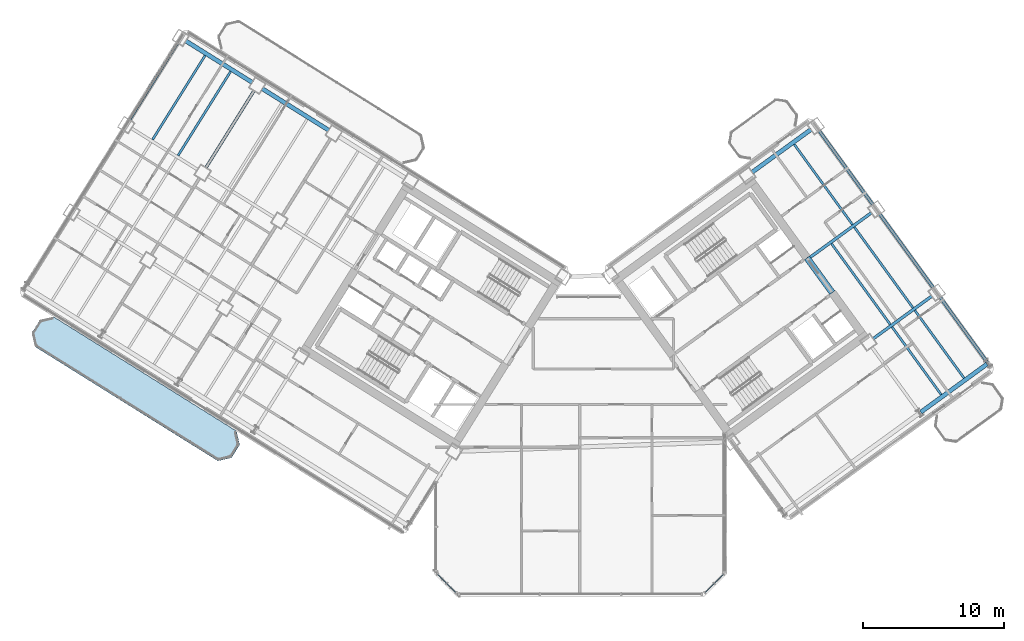
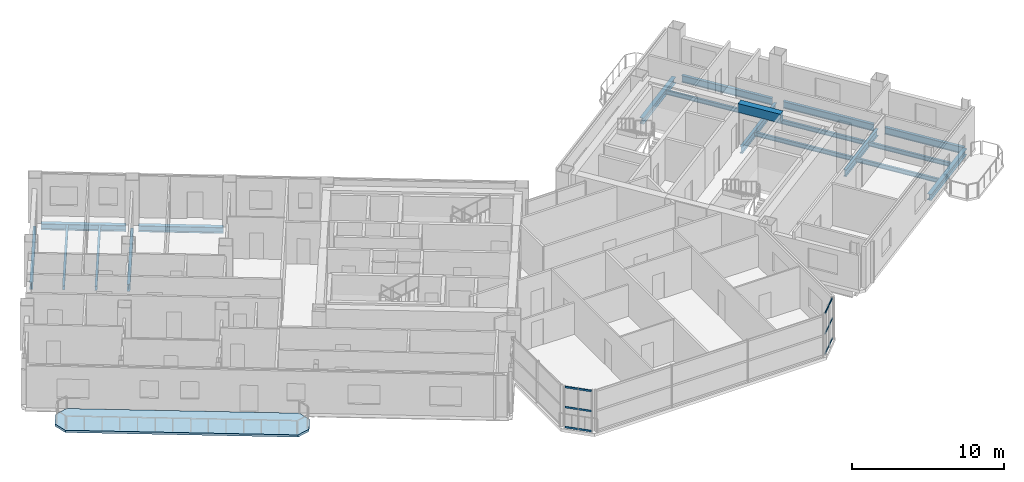
# One storey, part 13 of 29: 19 beams, 12 members, 1 slab, 2 elements without a shape of their own.
"""IFC4 building model written with IfcOpenShell, lengths in metres."""

from ifc_helpers import new_model, si_unit, direction, frame, origin, origin_2d, place, context, subcontext, project, spatial, polyline, rectangle, hollow_rectangle, i_section, outline, extrude, source, transform, mapped, material, layer, layer_set, material_profile, profile_set, type_object, element, aggregate, save


model = new_model("IFC4")

# Units and contexts
model_context = context("Model", 3, precision=1e-05, world=origin(), true_north=direction((0.0, 1.0)))
body_context = subcontext(model_context, "Body", "Model", "MODEL_VIEW")
ifc_project = project(units=[si_unit("LENGTHUNIT", "METRE"), si_unit("AREAUNIT", "SQUARE_METRE"), si_unit("VOLUMEUNIT", "CUBIC_METRE"), si_unit("PLANEANGLEUNIT", "RADIAN"), si_unit("MASSUNIT", "GRAM", prefix="KILO")], contexts=[model_context])

# Site, building, storey
site_placement = place(None, origin())
site = spatial("IfcSite", under=ifc_project, at=site_placement, CompositionType="ELEMENT")
building_placement = place(site_placement, origin())
building = spatial("IfcBuilding", under=site, at=building_placement, Name="Tlacorven Tower", CompositionType="ELEMENT")
storey_placement = place(building_placement, frame((0.0, 0.0, 158.699951171875)))
storey = spatial("IfcBuildingStorey", under=building, at=storey_placement, Name="L40", CompositionType="ELEMENT", Elevation=158.699951171875)

# Beams
ifc_material_1 = material(Name="Concrete C60/75", Category="concrete")
ifc_material_profile_1 = material_profile(ifc_material_1, rectangle(XDim=0.449951171875, YDim=0.699951171875, at=origin_2d()), Name="RC 450X700")
ifc_profile_set_1 = profile_set([ifc_material_profile_1], Name="Concrete C60/75")
beam_type_1 = type_object("IfcBeamType", Name="BM-LNT-700", PredefinedType="LINTEL", material=ifc_profile_set_1)
shared_shape_1 = source(origin(), body_context, "Body", "SweptSolid", [
    extrude(rectangle(XDim=0.449951171875, YDim=0.699951171875, at=origin_2d()), origin(), (0.0, 0.0, 1.0), 3.050048828125),
])
beam_1_placement = place(storey_placement, frame((59.856689453125, 23.345947265625, 3.0), z_axis=(-0.587776590479, 0.80902328748, 0.0), x_axis=(-0.80902328748, -0.587776590479, 0.0)))
element("IfcBeam", 1, at=beam_1_placement, inside=storey, type_object=beam_type_1, Name="L40 E core coupling lintel beam E2", PredefinedType="LINTEL", context=body_context, shape_type="MappedRepresentation", body=[
    mapped(shared_shape_1, transform((0.0, 0.0, 0.0), scale=1.0)),
])
ifc_material_2 = material(Name="Steel S355J2", Category="steel")
ifc_material_profile_2 = material_profile(ifc_material_2, i_section(OverallWidth=0.300048828125, OverallDepth=0.489990234375, WebThickness=0.011962890625, FlangeThickness=0.02294921875, at=origin_2d()), Name="HEA 500")
ifc_profile_set_2 = profile_set([ifc_material_profile_2], Name="Steel S355J2")
beam_type_2 = type_object("IfcBeamType", Name="BM-SPN-500", PredefinedType="SPANDREL", material=ifc_profile_set_2)
shared_shape_2 = source(origin(), body_context, "Body", "SweptSolid", [
    extrude(i_section(OverallWidth=0.300048828125, OverallDepth=0.489990234375, WebThickness=0.011962890625, FlangeThickness=0.02294921875, at=origin_2d()), origin(), (0.0, 0.0, 1.0), 5.800048828125),
])
beam_2_placement = place(storey_placement, frame((66.138671875, 14.86962890625, -0.494873046875), z_axis=(0.809019944521, 0.587781191743, 0.0), x_axis=(-0.587781191743, 0.809019944521, 0.0)))
element("IfcBeam", 2, at=beam_2_placement, inside=storey, type_object=beam_type_2, Name="L40 beam BM-L40-EL1-3", PredefinedType="SPANDREL", context=body_context, shape_type="MappedRepresentation", body=[
    mapped(shared_shape_2, transform((0.0, 0.0, 0.0), scale=1.0)),
])
shared_shape_3 = source(origin(), body_context, "Body", "SweptSolid", [
    extrude(i_section(OverallWidth=0.300048828125, OverallDepth=0.489990234375, WebThickness=0.011962890625, FlangeThickness=0.02294921875, at=origin_2d()), origin(), (0.0, 0.0, 1.0), 5.599853515625),
])
for number, where, z_axis, x_axis, name in (
    (3, (24.1611328125, 34.854736328125, -0.494873046875), (-0.848047285686, 0.529920561254, 0.0), (-0.529920561254, -0.848047285686, 0.0), "L40 beam BM-L40-WL1-4"),
    (4, (18.733642578125, 38.246337890625, -0.494873046875), (-0.848047285686, 0.529920561254, 0.0), (-0.529920561254, -0.848047285686, 0.0), "L40 beam BM-L40-WL1-5"),
):
    element("IfcBeam", number, at=place(storey_placement, frame(where, z_axis=z_axis, x_axis=x_axis)), inside=storey, type_object=beam_type_2, Name=name, PredefinedType="SPANDREL", context=body_context, shape_type="MappedRepresentation", body=[
        mapped(shared_shape_3, transform((0.0, 0.0, 0.0), scale=1.0)),
    ])
ifc_material_profile_3 = material_profile(ifc_material_2, i_section(OverallWidth=0.2099609375, OverallDepth=0.550048828125, WebThickness=0.010986328125, FlangeThickness=0.01708984375, at=origin_2d()), Name="IPE 550")
ifc_profile_set_3 = profile_set([ifc_material_profile_3], Name="Steel S355J2")
beam_type_3 = type_object("IfcBeamType", Name="BM-TWR-550", PredefinedType="BEAM", material=ifc_profile_set_3)
shared_shape_4 = source(origin(), body_context, "Body", "SweptSolid", [
    extrude(i_section(OverallWidth=0.2099609375, OverallDepth=0.550048828125, WebThickness=0.010986328125, FlangeThickness=0.01708984375, at=origin_2d()), origin(), (0.0, 0.0, 1.0), 5.7001953125),
])
beam_3_placement = place(storey_placement, frame((70.853271484375, 18.41845703125, -0.52490234375), z_axis=(-0.587766699507, 0.809030473438, 0.0), x_axis=(-0.809030473438, -0.587766699507, 0.0)))
element("IfcBeam", 5, at=beam_3_placement, inside=storey, type_object=beam_type_3, Name="L40 beam BM-L40-ET4-1", PredefinedType="BEAM", context=body_context, shape_type="MappedRepresentation", body=[
    mapped(shared_shape_4, transform((0.0, 0.0, 0.0), scale=1.0)),
])
shared_shape_5 = source(origin(), body_context, "Body", "SweptSolid", [
    extrude(i_section(OverallWidth=0.2099609375, OverallDepth=0.550048828125, WebThickness=0.010986328125, FlangeThickness=0.01708984375, at=origin_2d()), origin(), (0.0, 0.0, 1.0), 6.5),
])
for number, where, z_axis, x_axis, name in (
    (6, (13.433349609375, 41.086669921875, -0.52490234375), (-0.529894274829, -0.848063710757, 0.0), (0.848063710757, -0.529894274829, 0.0), "L40 beam BM-L40-WT6-1"),
    (7, (67.03271484375, 23.67724609375, -0.52490234375), (-0.587809847215, 0.808999124547, 0.0), (-0.808999124547, -0.587809847215, 0.0), "L40 beam BM-L40-ET4-2"),
    (8, (62.74169921875, 29.5830078125, -0.52490234375), (-0.587785264321, 0.809016985636, 0.0), (-0.809016985636, -0.587785264321, 0.0), "L40 beam BM-L40-ET4-3"),
):
    element("IfcBeam", number, at=place(storey_placement, frame(where, z_axis=z_axis, x_axis=x_axis)), inside=storey, type_object=beam_type_3, Name=name, PredefinedType="BEAM", context=body_context, shape_type="MappedRepresentation", body=[
        mapped(shared_shape_5, transform((0.0, 0.0, 0.0), scale=1.0)),
    ])
shared_shape_6 = source(origin(), body_context, "Body", "SweptSolid", [
    extrude(i_section(OverallWidth=0.2099609375, OverallDepth=0.550048828125, WebThickness=0.010986328125, FlangeThickness=0.01708984375, at=origin_2d()), origin(), (0.0, 0.0, 1.0), 6.499755859375),
])
beam_4_placement = place(storey_placement, frame((18.86083984375, 37.695068359375, -0.52490234375), z_axis=(-0.529911154058, -0.848053163902, 0.0), x_axis=(0.848053163902, -0.529911154058, 0.0)))
element("IfcBeam", 9, at=beam_4_placement, inside=storey, type_object=beam_type_3, Name="L40 beam BM-L40-WT5-1", PredefinedType="BEAM", context=body_context, shape_type="MappedRepresentation", body=[
    mapped(shared_shape_6, transform((0.0, 0.0, 0.0), scale=1.0)),
])
shared_shape_7 = source(origin(), body_context, "Body", "SweptSolid", [
    extrude(i_section(OverallWidth=0.2099609375, OverallDepth=0.550048828125, WebThickness=0.010986328125, FlangeThickness=0.01708984375, at=origin_2d()), origin(), (0.0, 0.0, 1.0), 5.56005859375),
])
beam_5_placement = place(storey_placement, frame((58.155029296875, 25.756103515625, -0.52490234375), z_axis=(0.809028396397, 0.587769558435, 0.0), x_axis=(-0.587769558435, 0.809028396397, 0.0)))
element("IfcBeam", 10, at=beam_5_placement, inside=storey, type_object=beam_type_3, Name="L40 beam BM-L40-EL3-3", PredefinedType="BEAM", context=body_context, shape_type="MappedRepresentation", body=[
    mapped(shared_shape_7, transform((0.0, 0.0, 0.0), scale=1.0)),
])
ifc_material_profile_4 = material_profile(ifc_material_2, i_section(OverallWidth=0.159912109375, OverallDepth=0.330078125, WebThickness=0.007568359375, FlangeThickness=0.011474609375, at=origin_2d()), Name="IPE 330")
ifc_profile_set_4 = profile_set([ifc_material_profile_4], Name="Steel S355J2")
beam_type_4 = type_object("IfcBeamType", Name="BM-JST-330", PredefinedType="JOIST", material=ifc_profile_set_4)
shared_shape_8 = source(origin(), body_context, "Body", "SweptSolid", [
    extrude(i_section(OverallWidth=0.159912109375, OverallDepth=0.330078125, WebThickness=0.007568359375, FlangeThickness=0.011474609375, at=origin_2d()), origin(), (0.0, 0.0, 1.0), 5.93505859375),
])
for number, where, z_axis, x_axis, name in (
    (11, (67.584716796875, 16.11181640625, -0.4150390625), (-0.58778762431, 0.809015270998, 0.0), (-0.809015270998, -0.58778762431, 0.0), "L40 beam BM-L40-EJ3-1-1"),
    (12, (69.202880859375, 17.287353515625, -0.4150390625), (-0.58778762431, 0.809015270998, 0.0), (-0.809015270998, -0.58778762431, 0.0), "L40 beam BM-L40-EJ3-1-2"),
):
    element("IfcBeam", number, at=place(storey_placement, frame(where, z_axis=z_axis, x_axis=x_axis)), inside=storey, type_object=beam_type_4, Name=name, PredefinedType="JOIST", context=body_context, shape_type="MappedRepresentation", body=[
        mapped(shared_shape_8, transform((0.0, 0.0, 0.0), scale=1.0)),
    ])
shared_shape_9 = source(origin(), body_context, "Body", "SweptSolid", [
    extrude(i_section(OverallWidth=0.159912109375, OverallDepth=0.330078125, WebThickness=0.007568359375, FlangeThickness=0.011474609375, at=origin_2d()), origin(), (0.0, 0.0, 1.0), 7.080078125),
])
beam_6_placement = place(storey_placement, frame((65.5849609375, 22.266845703125, -0.4150390625), z_axis=(-0.587759505125, 0.809035700161, 0.0), x_axis=(-0.809035700161, -0.587759505125, 0.0)))
element("IfcBeam", 13, at=beam_6_placement, inside=storey, type_object=beam_type_4, Name="L40 beam BM-L40-EJ3-2-2", PredefinedType="JOIST", context=body_context, shape_type="MappedRepresentation", body=[
    mapped(shared_shape_9, transform((0.0, 0.0, 0.0), scale=1.0)),
])
shared_shape_10 = source(origin(), body_context, "Body", "SweptSolid", [
    extrude(i_section(OverallWidth=0.159912109375, OverallDepth=0.330078125, WebThickness=0.007568359375, FlangeThickness=0.011474609375, at=origin_2d()), origin(), (0.0, 0.0, 1.0), 7.03515625),
])
beam_7_placement = place(storey_placement, frame((17.181640625, 39.033447265625, -0.4150390625), z_axis=(-0.529920952588, -0.848047041153, 0.0), x_axis=(0.848047041153, -0.529920952588, 0.0)))
element("IfcBeam", 14, at=beam_7_placement, inside=storey, type_object=beam_type_4, Name="L40 beam BM-L40-WJ5-1-1", PredefinedType="JOIST", context=body_context, shape_type="MappedRepresentation", body=[
    mapped(shared_shape_10, transform((0.0, 0.0, 0.0), scale=1.0)),
])
shared_shape_11 = source(origin(), body_context, "Body", "SweptSolid", [
    extrude(i_section(OverallWidth=0.159912109375, OverallDepth=0.330078125, WebThickness=0.007568359375, FlangeThickness=0.011474609375, at=origin_2d()), origin(), (0.0, 0.0, 1.0), 7.034912109375),
])
for number, where, z_axis, x_axis, name in (
    (15, (15.372314453125, 40.163818359375, -0.4150390625), (-0.529895993776, -0.848062636708, 0.0), (0.848062636708, -0.529895993776, 0.0), "L40 beam BM-L40-WJ5-1-2"),
    (16, (61.294189453125, 28.1728515625, -0.4150390625), (-0.587781631373, 0.809019625115, 0.0), (-0.809019625115, -0.587781631373, 0.0), "L40 beam BM-L40-EJ3-3-2"),
):
    element("IfcBeam", number, at=place(storey_placement, frame(where, z_axis=z_axis, x_axis=x_axis)), inside=storey, type_object=beam_type_4, Name=name, PredefinedType="JOIST", context=body_context, shape_type="MappedRepresentation", body=[
        mapped(shared_shape_11, transform((0.0, 0.0, 0.0), scale=1.0)),
    ])
shared_shape_12 = source(origin(), body_context, "Body", "SweptSolid", [
    extrude(i_section(OverallWidth=0.159912109375, OverallDepth=0.330078125, WebThickness=0.007568359375, FlangeThickness=0.011474609375, at=origin_2d()), origin(), (0.0, 0.0, 1.0), 7.080322265625),
])
beam_8_placement = place(storey_placement, frame((63.967041015625, 21.09130859375, -0.4150390625), z_axis=(-0.587782074775, 0.809019302967, 0.0), x_axis=(-0.809019302967, -0.587782074775, 0.0)))
element("IfcBeam", 17, at=beam_8_placement, inside=storey, type_object=beam_type_4, Name="L40 beam BM-L40-EJ3-2-1", PredefinedType="JOIST", context=body_context, shape_type="MappedRepresentation", body=[
    mapped(shared_shape_12, transform((0.0, 0.0, 0.0), scale=1.0)),
])
shared_shape_13 = source(origin(), body_context, "Body", "SweptSolid", [
    extrude(i_section(OverallWidth=0.2099609375, OverallDepth=0.550048828125, WebThickness=0.010986328125, FlangeThickness=0.01708984375, at=origin_2d()), origin(), (0.0, 0.0, 1.0), 5.199951171875),
])
beam_9_placement = place(storey_placement, frame((62.7373046875, 20.06201171875, -0.52490234375), z_axis=(0.809018206713, 0.587783583648, 0.0), x_axis=(-0.587783583648, 0.809018206713, 0.0)))
element("IfcBeam", 18, at=beam_9_placement, inside=storey, type_object=beam_type_3, Name="L40 beam BM-L40-EL2-3", PredefinedType="BEAM", context=body_context, shape_type="MappedRepresentation", body=[
    mapped(shared_shape_13, transform((0.0, 0.0, 0.0), scale=1.0)),
])
shared_shape_14 = source(origin(), body_context, "Body", "SweptSolid", [
    extrude(i_section(OverallWidth=0.300048828125, OverallDepth=0.489990234375, WebThickness=0.011962890625, FlangeThickness=0.02294921875, at=origin_2d()), origin(), (0.0, 0.0, 1.0), 5.2001953125),
])
beam_10_placement = place(storey_placement, frame((54.155517578125, 31.87353515625, -0.494873046875), z_axis=(0.80901210161, 0.587791986546, 0.0), x_axis=(-0.587791986546, 0.80901210161, 0.0)))
element("IfcBeam", 19, at=beam_10_placement, inside=storey, type_object=beam_type_2, Name="L40 beam BM-L40-EL4-3", PredefinedType="SPANDREL", context=body_context, shape_type="MappedRepresentation", body=[
    mapped(shared_shape_14, transform((0.0, 0.0, 0.0), scale=1.0)),
])

# Curtain wall, members
ifc_material_3 = material(Name="Dark solar low-E double glazing in aluminium frame", Category="aluminium")
curtain_wall_type = type_object("IfcCurtainWallType", Name="CW-TWR-MID", PredefinedType="USERDEFINED", material=ifc_material_3)
curtain_wall_1_placement = place(storey_placement, origin())
curtain_wall_1 = element("IfcCurtainWall", 20, at=curtain_wall_1_placement, inside=storey, type_object=curtain_wall_type, Name="L40 CW-TWR-MID Curtain Wall 178", ObjectType="UNITISED CURTAIN WALL", PredefinedType="USERDEFINED")
ifc_material_4 = material(Name="Aluminium 6063-T6 anodised", Category="aluminium")
ifc_material_profile_5 = material_profile(ifc_material_4, hollow_rectangle(XDim=0.06005859375, YDim=0.139892578125, WallThickness=0.00390625, at=origin_2d()), Name="ALU TRANSOM 60X140")
ifc_profile_set_5 = profile_set([ifc_material_profile_5], Name="Aluminium 6063-T6 anodised")
member_type = type_object("IfcMemberType", Name="CWT-02", PredefinedType="USERDEFINED", material=ifc_profile_set_5)
shared_shape_15 = source(origin(), body_context, "Body", "SweptSolid", [
    extrude(hollow_rectangle(XDim=0.06005859375, YDim=0.139892578125, WallThickness=0.00390625, at=origin_2d()), origin(), (0.0, 0.0, 1.0), 0.8916015625),
])
member_1_placement = place(storey_placement, frame((52.1318359375, 3.358154296875, 0.070068359375), z_axis=(-0.706969864397, -0.70724367147, 0.0), x_axis=(0.70724367147, -0.706969864397, 0.0)))
member_1 = element("IfcMember", 21, at=member_1_placement, type_object=member_type, Name="CW-L40-178 Transom 1", ObjectType="TRANSOM", PredefinedType="USERDEFINED", context=body_context, shape_type="MappedRepresentation", body=[
    mapped(shared_shape_15, transform((0.0, 0.0, 0.0), scale=1.0)),
])
member_2_placement = place(storey_placement, frame((52.1318359375, 3.358154296875, 1.675048828125), z_axis=(-0.706969864397, -0.70724367147, 0.0), x_axis=(0.70724367147, -0.706969864397, 0.0)))
member_2 = element("IfcMember", 22, at=member_2_placement, type_object=member_type, Name="CW-L40-178 Transom 2", ObjectType="TRANSOM", PredefinedType="USERDEFINED", context=body_context, shape_type="MappedRepresentation", body=[
    mapped(shared_shape_15, transform((0.0, 0.0, 0.0), scale=1.0)),
])
member_3_placement = place(storey_placement, frame((52.1318359375, 3.358154296875, 3.280029296875), z_axis=(-0.706969864397, -0.70724367147, 0.0), x_axis=(0.70724367147, -0.706969864397, 0.0)))
member_3 = element("IfcMember", 23, at=member_3_placement, type_object=member_type, Name="CW-L40-178 Transom 3", ObjectType="TRANSOM", PredefinedType="USERDEFINED", context=body_context, shape_type="MappedRepresentation", body=[
    mapped(shared_shape_15, transform((0.0, 0.0, 0.0), scale=1.0)),
])

curtain_wall_2_placement = place(storey_placement, origin())
curtain_wall_2 = element("IfcCurtainWall", 24, at=curtain_wall_2_placement, inside=storey, type_object=curtain_wall_type, Name="L40 CW-TWR-MID Curtain Wall 180", ObjectType="UNITISED CURTAIN WALL", PredefinedType="USERDEFINED")
member_4_placement = place(storey_placement, frame((32.49853515625, 2.7275390625, 0.070068359375), z_axis=(-0.706969864397, 0.70724367147, 0.0), x_axis=(-0.70724367147, -0.706969864397, 0.0)))
member_4 = element("IfcMember", 25, at=member_4_placement, type_object=member_type, Name="CW-L40-180 Transom 4", ObjectType="TRANSOM", PredefinedType="USERDEFINED", context=body_context, shape_type="MappedRepresentation", body=[
    mapped(shared_shape_15, transform((0.0, 0.0, 0.0), scale=1.0)),
])
member_5_placement = place(storey_placement, frame((32.49853515625, 2.7275390625, 1.675048828125), z_axis=(-0.706969864397, 0.70724367147, 0.0), x_axis=(-0.70724367147, -0.706969864397, 0.0)))
member_5 = element("IfcMember", 26, at=member_5_placement, type_object=member_type, Name="CW-L40-180 Transom 5", ObjectType="TRANSOM", PredefinedType="USERDEFINED", context=body_context, shape_type="MappedRepresentation", body=[
    mapped(shared_shape_15, transform((0.0, 0.0, 0.0), scale=1.0)),
])
member_6_placement = place(storey_placement, frame((32.49853515625, 2.7275390625, 3.280029296875), z_axis=(-0.706969864397, 0.70724367147, 0.0), x_axis=(-0.70724367147, -0.706969864397, 0.0)))
member_6 = element("IfcMember", 27, at=member_6_placement, type_object=member_type, Name="CW-L40-180 Transom 6", ObjectType="TRANSOM", PredefinedType="USERDEFINED", context=body_context, shape_type="MappedRepresentation", body=[
    mapped(shared_shape_15, transform((0.0, 0.0, 0.0), scale=1.0)),
])

# Member
shared_shape_16 = source(origin(), body_context, "Body", "SweptSolid", [
    extrude(hollow_rectangle(XDim=0.06005859375, YDim=0.139892578125, WallThickness=0.00390625, at=origin_2d()), origin(), (0.0, 0.0, 1.0), 0.891845703125),
])
member_7_placement = place(storey_placement, frame((51.472412109375, 2.69873046875, 0.070068359375), z_axis=(-0.707106781187, -0.707106781187, 0.0), x_axis=(0.707106781187, -0.707106781187, 0.0)))
member_7 = element("IfcMember", 28, at=member_7_placement, type_object=member_type, Name="CW-L40-178 Transom 4", ObjectType="TRANSOM", PredefinedType="USERDEFINED", context=body_context, shape_type="MappedRepresentation", body=[
    mapped(shared_shape_16, transform((0.0, 0.0, 0.0), scale=1.0)),
])

member_8_placement = place(storey_placement, frame((51.472412109375, 2.69873046875, 1.675048828125), z_axis=(-0.707106781187, -0.707106781187, 0.0), x_axis=(0.707106781187, -0.707106781187, 0.0)))
member_8 = element("IfcMember", 29, at=member_8_placement, type_object=member_type, Name="CW-L40-178 Transom 5", ObjectType="TRANSOM", PredefinedType="USERDEFINED", context=body_context, shape_type="MappedRepresentation", body=[
    mapped(shared_shape_16, transform((0.0, 0.0, 0.0), scale=1.0)),
])

member_9_placement = place(storey_placement, frame((51.472412109375, 2.69873046875, 3.280029296875), z_axis=(-0.707106781187, -0.707106781187, 0.0), x_axis=(0.707106781187, -0.707106781187, 0.0)))
member_9 = element("IfcMember", 30, at=member_9_placement, type_object=member_type, Name="CW-L40-178 Transom 6", ObjectType="TRANSOM", PredefinedType="USERDEFINED", context=body_context, shape_type="MappedRepresentation", body=[
    mapped(shared_shape_16, transform((0.0, 0.0, 0.0), scale=1.0)),
])

aggregate(curtain_wall_1, [member_1, member_2, member_3, member_7, member_8, member_9])

member_10_placement = place(storey_placement, frame((33.158203125, 2.068115234375, 0.070068359375), z_axis=(-0.707106781187, 0.707106781187, 0.0), x_axis=(-0.707106781187, -0.707106781187, 0.0)))
member_10 = element("IfcMember", 31, at=member_10_placement, type_object=member_type, Name="CW-L40-180 Transom 1", ObjectType="TRANSOM", PredefinedType="USERDEFINED", context=body_context, shape_type="MappedRepresentation", body=[
    mapped(shared_shape_16, transform((0.0, 0.0, 0.0), scale=1.0)),
])

member_11_placement = place(storey_placement, frame((33.158203125, 2.068115234375, 1.675048828125), z_axis=(-0.707106781187, 0.707106781187, 0.0), x_axis=(-0.707106781187, -0.707106781187, 0.0)))
member_11 = element("IfcMember", 32, at=member_11_placement, type_object=member_type, Name="CW-L40-180 Transom 2", ObjectType="TRANSOM", PredefinedType="USERDEFINED", context=body_context, shape_type="MappedRepresentation", body=[
    mapped(shared_shape_16, transform((0.0, 0.0, 0.0), scale=1.0)),
])

member_12_placement = place(storey_placement, frame((33.158203125, 2.068115234375, 3.280029296875), z_axis=(-0.707106781187, 0.707106781187, 0.0), x_axis=(-0.707106781187, -0.707106781187, 0.0)))
member_12 = element("IfcMember", 33, at=member_12_placement, type_object=member_type, Name="CW-L40-180 Transom 3", ObjectType="TRANSOM", PredefinedType="USERDEFINED", context=body_context, shape_type="MappedRepresentation", body=[
    mapped(shared_shape_16, transform((0.0, 0.0, 0.0), scale=1.0)),
])

aggregate(curtain_wall_2, [member_10, member_11, member_12, member_4, member_5, member_6])

# Slab
ifc_material_5 = material(Name="Precast concrete C45/55", Category="concrete")
ifc_layer = layer(ifc_material_5, 0.179931640625)
ifc_layer_set = layer_set([ifc_layer], Name="Precast concrete C45/55")
slab_type = type_object("IfcSlabType", Name="SL-BAL-180", PredefinedType="USERDEFINED", material=ifc_layer_set)
slab_placement = place(storey_placement, frame((0.0, 0.0, -0.179931640625)))
element("IfcSlab", 34, at=slab_placement, inside=storey, type_object=slab_type, Name="L40 West Wing Balcony Ribbon OUT", ObjectType="BALCONY SLAB", PredefinedType="USERDEFINED", context=body_context, shape_type="SweptSolid", body=[
    extrude(outline(polyline([(17.601318359375, 13.52490234375), (4.626220703125, 21.632568359375), (3.66162109375, 21.409912109375), (3.081298828125, 20.4814453125), (3.303955078125, 19.516845703125), (16.279052734375, 11.408935546875), (17.24365234375, 11.6318359375), (17.823974609375, 12.560302734375), (17.601318359375, 13.52490234375)])), origin(), (0.0, 0.0, 1.0), 0.179931640625),
])

save(model, "model.ifc")
